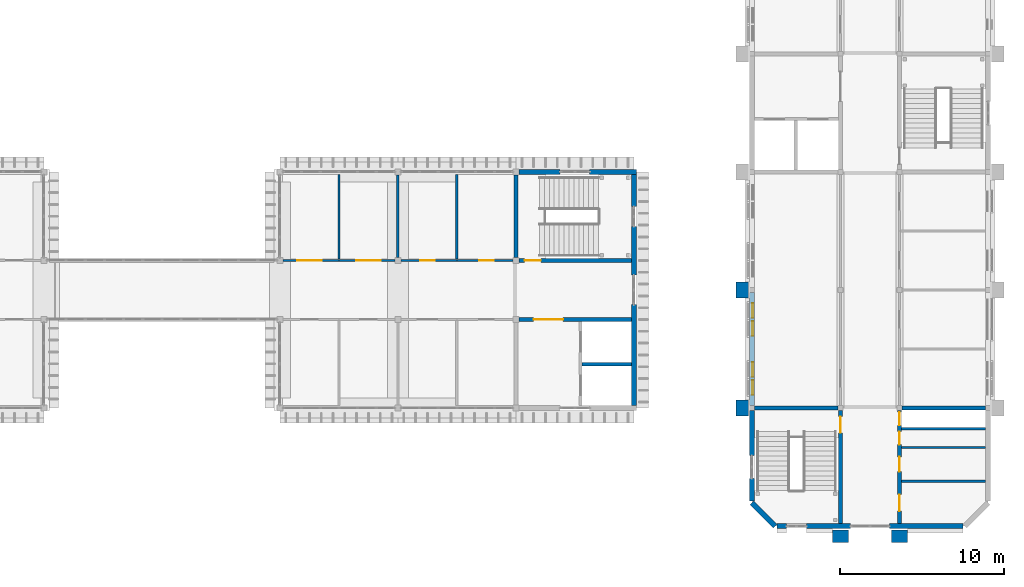
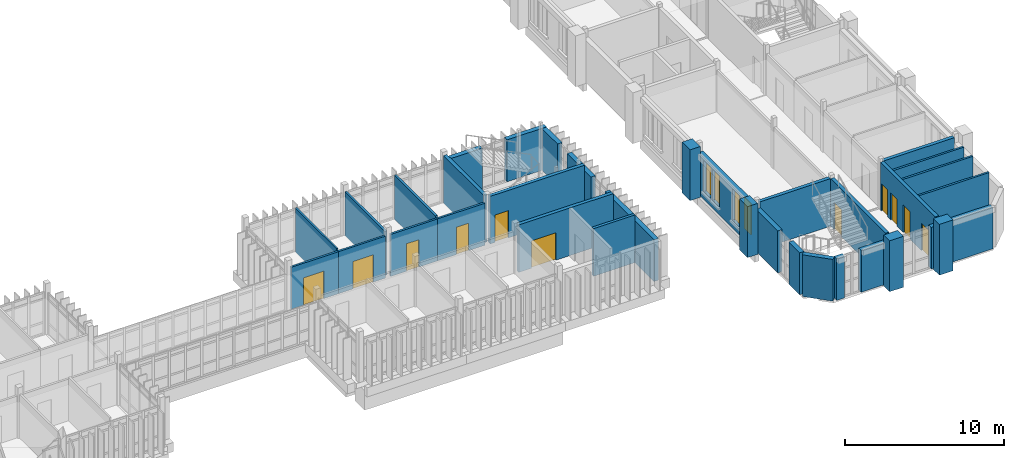
# One storey, part 45 of 69: 34 walls, 11 doors, 4 windows, 15 openings.
"""IFC4 building model written with IfcOpenShell, lengths in metres."""

from ifc_helpers import new_model, si_unit, direction, frame, frame_2d, origin, place, context, subcontext, project, spatial, rectangle, extrude, material, layer, layer_set, type_object, element, fill, save


model = new_model("IFC4")

# Units and contexts
model_context = context("Model", 3, precision=1e-05, world=origin(), true_north=direction((0.0, 1.0)))
body_context = subcontext(model_context, "Body", "Model", "MODEL_VIEW")
ifc_project = project(units=[si_unit("LENGTHUNIT", "METRE"), si_unit("AREAUNIT", "SQUARE_METRE"), si_unit("VOLUMEUNIT", "CUBIC_METRE"), si_unit("PLANEANGLEUNIT", "RADIAN"), si_unit("MASSUNIT", "GRAM", prefix="KILO")], contexts=[model_context])

# Site, building, storey
site_placement = place(None, origin())
site = spatial("IfcSite", under=ifc_project, at=site_placement, CompositionType="ELEMENT")
building_placement = place(site_placement, origin())
building = spatial("IfcBuilding", under=site, at=building_placement, Name="Mazhai Court Health Centre", CompositionType="ELEMENT")
storey_placement = place(building_placement, frame((0.0, 0.0, 6.300048828125)))
storey = spatial("IfcBuildingStorey", under=building, at=storey_placement, Name="L01", CompositionType="ELEMENT", Elevation=6.300048828125)

# Walls
ifc_material_1 = material(Name="Clay brick masonry", Category="masonry")
ifc_layer_1 = layer(ifc_material_1, 0.75)
ifc_layer_set_1 = layer_set([ifc_layer_1], Name="BRICK PIER 750")
wall_type_1 = type_object("IfcWallType", Name="BRICK PIER 750", PredefinedType="SOLIDWALL", material=ifc_layer_set_1)
for number, where, z_axis, x_axis, name in (
    (1, (135.199951171875, 12.89990234375, 0.0), (0.0, 0.0, 1.0), (0.0, 1.0, 0.0), "EP-V6-L01-A1"),
    (2, (135.199951171875, 20.10009765625, 0.0), (0.0, 0.0, 1.0), (0.0, 1.0, 0.0), "EP-V6-L01-A2"),
    (3, (141.699951171875, 5.574951171875, 0.0), (0.0, 0.0, 1.0), (-1.0, 0.0, 0.0), "EP-V6-L01-S54"),
    (4, (145.300048828125, 5.574951171875, 0.0), (0.0, 0.0, 1.0), (-1.0, 0.0, 0.0), "EP-V6-L01-S90"),
):
    element("IfcWall", number, at=place(storey_placement, frame(where, z_axis=z_axis, x_axis=x_axis)), inside=storey, type_object=wall_type_1, Name=name, PredefinedType="SOLIDWALL", context=body_context, shape_type="SweptSolid", body=[
        extrude(rectangle(XDim=1.0, YDim=0.75, at=frame_2d((0.5, 0.0))), origin(), (0.0, 0.0, 1.0), 3.89990234375),
    ])
ifc_material_2 = material(Name="Clay brick masonry", Category="masonry")
ifc_layer_2 = layer(ifc_material_2, 0.330078125)
ifc_layer_set_2 = layer_set([ifc_layer_2], Name="BRICK WALL 330 EXTERNAL")
wall_type_2 = type_object("IfcWallType", Name="BRICK WALL 330 EXTERNAL", PredefinedType="SOLIDWALL", material=ifc_layer_set_2)
wall_1_placement = place(storey_placement, frame((121.580078125, 27.800048828125, 0.0), z_axis=(0.0, 0.0, 1.0), x_axis=(1.0, 0.0, 0.0)))
element("IfcWall", 5, at=wall_1_placement, inside=storey, type_object=wall_type_2, Name="EW-V4-L01-B7a", PredefinedType="SOLIDWALL", context=body_context, shape_type="SweptSolid", body=[
    extrude(rectangle(XDim=2.52001953125, YDim=0.330078125, at=frame_2d((1.260009765625, 0.0))), origin(), (0.0, 0.0, 1.0), 3.219970703125),
])
wall_2_placement = place(storey_placement, frame((125.89990234375, 27.800048828125, 0.0), z_axis=(0.0, 0.0, 1.0), x_axis=(1.0, 0.0, 0.0)))
element("IfcWall", 6, at=wall_2_placement, inside=storey, type_object=wall_type_2, Name="EW-V4-L01-B7b", PredefinedType="SOLIDWALL", context=body_context, shape_type="SweptSolid", body=[
    extrude(rectangle(XDim=2.864990234375, YDim=0.330078125, at=frame_2d((1.4326171875, 0.0))), origin(), (0.0, 0.0, 1.0), 3.219970703125),
])
wall_3_placement = place(storey_placement, frame((128.60009765625, 19.699951171875, 0.0), z_axis=(0.0, 0.0, 1.0), x_axis=(0.0, -1.0, 0.0)))
element("IfcWall", 7, at=wall_3_placement, inside=storey, type_object=wall_type_2, Name="EW-V4-L01-Ep0", PredefinedType="SOLIDWALL", context=body_context, shape_type="SweptSolid", body=[
    extrude(rectangle(XDim=6.135009765625, YDim=0.330078125, at=frame_2d((3.0673828125, 0.0))), origin(), (0.0, 0.0, 1.0), 3.199951171875),
])
wall_4_placement = place(storey_placement, frame((128.60009765625, 24.47998046875, 0.0), z_axis=(0.0, 0.0, 1.0), x_axis=(0.0, -1.0, 0.0)))
element("IfcWall", 8, at=wall_4_placement, inside=storey, type_object=wall_type_2, Name="EW-V4-L01-Ep1", PredefinedType="SOLIDWALL", context=body_context, shape_type="SweptSolid", body=[
    extrude(rectangle(XDim=2.97998046875, YDim=0.330078125, at=frame_2d((1.489990234375, 0.0))), origin(), (0.0, 0.0, 1.0), 3.199951171875),
])
wall_5_placement = place(storey_placement, frame((128.60009765625, 27.635009765625, 0.0), z_axis=(0.0, 0.0, 1.0), x_axis=(0.0, -1.0, 0.0)))
element("IfcWall", 9, at=wall_5_placement, inside=storey, type_object=wall_type_2, Name="EW-V4-L01-Ep2", PredefinedType="SOLIDWALL", context=body_context, shape_type="SweptSolid", body=[
    extrude(rectangle(XDim=1.955078125, YDim=0.330078125, at=frame_2d((0.9775390625, 0.0))), origin(), (0.0, 0.0, 1.0), 3.199951171875),
])
wall_6_placement = place(storey_placement, frame((135.800048828125, 7.73095703125, 0.0), z_axis=(0.0, 0.0, 1.0), x_axis=(0.0, 1.0, 0.0)))
element("IfcWall", 10, at=wall_6_placement, inside=storey, type_object=wall_type_2, Name="EW-V6-L01-A0a", PredefinedType="SOLIDWALL", context=body_context, shape_type="SweptSolid", body=[
    extrude(rectangle(XDim=1.369140625, YDim=0.330078125, at=frame_2d((0.6845703125, 0.0))), origin(), (0.0, 0.0, 1.0), 3.219970703125),
])
wall_7_placement = place(storey_placement, frame((135.800048828125, 10.5, 0.0), z_axis=(0.0, 0.0, 1.0), x_axis=(0.0, 1.0, 0.0)))
element("IfcWall", 11, at=wall_7_placement, inside=storey, type_object=wall_type_2, Name="EW-V6-L01-A0b", PredefinedType="SOLIDWALL", context=body_context, shape_type="SweptSolid", body=[
    extrude(rectangle(XDim=2.760009765625, YDim=0.330078125, at=frame_2d((1.3798828125, 0.0))), origin(), (0.0, 0.0, 1.0), 3.219970703125),
])

# Wall, openings, windows
wall_8_placement = place(storey_placement, frame((135.800048828125, 13.5400390625, 0.0), z_axis=(0.0, 0.0, 1.0), x_axis=(0.0, 1.0, 0.0)))
wall_8 = element("IfcWall", 12, at=wall_8_placement, inside=storey, type_object=wall_type_2, Name="EW-V6-L01-A1p0", PredefinedType="SOLIDWALL", context=body_context, shape_type="SweptSolid", body=[
    extrude(rectangle(XDim=6.919921875, YDim=0.330078125, at=frame_2d((3.4599609375, 0.0))), origin(), (0.0, 0.0, 1.0), 3.219970703125),
])
opening_1_placement = place(wall_8_placement, frame((0.659912109375, 0.0, 0.60009765625)))
opening_1 = element("IfcOpeningElement", 13, at=opening_1_placement, cuts=wall_8, Name="Opening W14", PredefinedType="OPENING", context=body_context, shape_type="SweptSolid", body=[
    extrude(rectangle(XDim=0.89990234375, YDim=2.39990234375, at=frame_2d((0.449951171875, 1.199951171875))), frame((0.0, 0.175048828125, 0.0), z_axis=(0.0, -1.0, 0.0), x_axis=(1.0, 0.0, 0.0)), (0.0, 0.0, 1.0), 0.35009765625),
])
opening_2_placement = place(wall_8_placement, frame((1.760009765625, 0.0, 0.60009765625)))
opening_2 = element("IfcOpeningElement", 14, at=opening_2_placement, cuts=wall_8, Name="Opening W14", PredefinedType="OPENING", context=body_context, shape_type="SweptSolid", body=[
    extrude(rectangle(XDim=0.89990234375, YDim=2.39990234375, at=frame_2d((0.449951171875, 1.199951171875))), frame((0.0, 0.175048828125, 0.0), z_axis=(0.0, -1.0, 0.0), x_axis=(1.0, 0.0, 0.0)), (0.0, 0.0, 1.0), 0.35009765625),
])
opening_3_placement = place(wall_8_placement, frame((4.260009765625, 0.0, 0.60009765625)))
opening_3 = element("IfcOpeningElement", 15, at=opening_3_placement, cuts=wall_8, Name="Opening W14", PredefinedType="OPENING", context=body_context, shape_type="SweptSolid", body=[
    extrude(rectangle(XDim=0.89990234375, YDim=2.39990234375, at=frame_2d((0.449951171875, 1.199951171875))), frame((0.0, 0.175048828125, 0.0), z_axis=(0.0, -1.0, 0.0), x_axis=(1.0, 0.0, 0.0)), (0.0, 0.0, 1.0), 0.35009765625),
])
opening_4_placement = place(wall_8_placement, frame((5.360107421875, 0.0, 0.60009765625)))
opening_4 = element("IfcOpeningElement", 16, at=opening_4_placement, cuts=wall_8, Name="Opening W14", PredefinedType="OPENING", context=body_context, shape_type="SweptSolid", body=[
    extrude(rectangle(XDim=0.89990234375, YDim=2.39990234375, at=frame_2d((0.449951171875, 1.199951171875))), frame((0.0, 0.175048828125, 0.0), z_axis=(0.0, -1.0, 0.0), x_axis=(1.0, 0.0, 0.0)), (0.0, 0.0, 1.0), 0.35009765625),
])
ifc_material_3 = material(Name="Teak timber frame, glazed", Category="wood")
window_type = type_object("IfcWindowType", Name="WINDOW TALL PAIRED 900x2400", PartitioningType="SINGLE_PANEL", PredefinedType="WINDOW", material=ifc_material_3)
window_1_placement = place(opening_1_placement, origin())
window_1 = element("IfcWindow", 17, at=window_1_placement, inside=storey, type_object=window_type, Name="W14 WN-V6-L01-A10a", OverallHeight=2.39990234375, OverallWidth=0.89990234375, PartitioningType="SINGLE_PANEL", PredefinedType="WINDOW", context=body_context, shape_type="SweptSolid", body=[
    extrude(rectangle(XDim=0.89990234375, YDim=2.39990234375, at=frame_2d((0.449951171875, 1.199951171875))), frame((0.0, -0.030029296875, 0.0), z_axis=(0.0, -1.0, 0.0), x_axis=(1.0, 0.0, 0.0)), (0.0, 0.0, 1.0), 0.06005859375),
])
fill(opening_1, window_1)
window_2_placement = place(opening_2_placement, origin())
window_2 = element("IfcWindow", 18, at=window_2_placement, inside=storey, type_object=window_type, Name="W14 WN-V6-L01-A10b", OverallHeight=2.39990234375, OverallWidth=0.89990234375, PartitioningType="SINGLE_PANEL", PredefinedType="WINDOW", context=body_context, shape_type="SweptSolid", body=[
    extrude(rectangle(XDim=0.89990234375, YDim=2.39990234375, at=frame_2d((0.449951171875, 1.199951171875))), frame((0.0, -0.030029296875, 0.0), z_axis=(0.0, -1.0, 0.0), x_axis=(1.0, 0.0, 0.0)), (0.0, 0.0, 1.0), 0.06005859375),
])
fill(opening_2, window_2)
window_3_placement = place(opening_3_placement, origin())
window_3 = element("IfcWindow", 19, at=window_3_placement, inside=storey, type_object=window_type, Name="W14 WN-V6-L01-A11a", OverallHeight=2.39990234375, OverallWidth=0.89990234375, PartitioningType="SINGLE_PANEL", PredefinedType="WINDOW", context=body_context, shape_type="SweptSolid", body=[
    extrude(rectangle(XDim=0.89990234375, YDim=2.39990234375, at=frame_2d((0.449951171875, 1.199951171875))), frame((0.0, -0.030029296875, 0.0), z_axis=(0.0, -1.0, 0.0), x_axis=(1.0, 0.0, 0.0)), (0.0, 0.0, 1.0), 0.06005859375),
])
fill(opening_3, window_3)
window_4_placement = place(opening_4_placement, origin())
window_4 = element("IfcWindow", 20, at=window_4_placement, inside=storey, type_object=window_type, Name="W14 WN-V6-L01-A11b", OverallHeight=2.39990234375, OverallWidth=0.89990234375, PartitioningType="SINGLE_PANEL", PredefinedType="WINDOW", context=body_context, shape_type="SweptSolid", body=[
    extrude(rectangle(XDim=0.89990234375, YDim=2.39990234375, at=frame_2d((0.449951171875, 1.199951171875))), frame((0.0, -0.030029296875, 0.0), z_axis=(0.0, -1.0, 0.0), x_axis=(1.0, 0.0, 0.0)), (0.0, 0.0, 1.0), 0.06005859375),
])
fill(opening_4, window_4)

# Walls
wall_9_placement = place(storey_placement, frame((137.919921875, 6.199951171875, 0.0), z_axis=(0.0, 0.0, 1.0), x_axis=(-1.0, 0.0, 0.0)))
element("IfcWall", 21, at=wall_9_placement, inside=storey, type_object=wall_type_2, Name="EW-V6-L01-Sp0", PredefinedType="SOLIDWALL", context=body_context, shape_type="SweptSolid", body=[
    extrude(rectangle(XDim=0.5888671875, YDim=0.330078125, at=frame_2d((0.29443359375, 0.0))), origin(), (0.0, 0.0, 1.0), 3.199951171875),
])
wall_10_placement = place(storey_placement, frame((141.800048828125, 6.199951171875, 0.0), z_axis=(0.0, 0.0, 1.0), x_axis=(-1.0, 0.0, 0.0)))
element("IfcWall", 22, at=wall_10_placement, inside=storey, type_object=wall_type_2, Name="EW-V6-L01-Sp1", PredefinedType="SOLIDWALL", context=body_context, shape_type="SweptSolid", body=[
    extrude(rectangle(XDim=2.679931640625, YDim=0.330078125, at=frame_2d((1.33984375, 0.0))), origin(), (0.0, 0.0, 1.0), 3.199951171875),
])
wall_11_placement = place(storey_placement, frame((148.6689453125, 6.199951171875, 0.0), z_axis=(0.0, 0.0, 1.0), x_axis=(-1.0, 0.0, 0.0)))
element("IfcWall", 23, at=wall_11_placement, inside=storey, type_object=wall_type_2, Name="EW-V6-L01-Sp2", PredefinedType="SOLIDWALL", context=body_context, shape_type="SweptSolid", body=[
    extrude(rectangle(XDim=4.468994140625, YDim=0.330078125, at=frame_2d((2.234375, 0.0))), origin(), (0.0, 0.0, 1.0), 3.199951171875),
])
wall_12_placement = place(storey_placement, frame((135.800048828125, 7.614013671875, 0.0), z_axis=(0.0, 0.0, 1.0), x_axis=(0.707106781187, -0.707106781187, 0.0)))
element("IfcWall", 24, at=wall_12_placement, inside=storey, type_object=wall_type_2, Name="EW-V6-L01-CHA", PredefinedType="SOLIDWALL", context=body_context, shape_type="SweptSolid", body=[
    extrude(rectangle(XDim=1.999755859375, YDim=0.330078125, at=frame_2d((1.0, 0.0))), origin(), (0.0, 0.0, 1.0), 3.199951171875),
])
ifc_material_4 = material(Name="Gypsum plasterboard partition")
ifc_layer_3 = layer(ifc_material_4, 0.125)
ifc_layer_set_3 = layer_set([ifc_layer_3], Name="PARTITION 125 STUD EI30")
wall_type_3 = type_object("IfcWallType", Name="PARTITION 125 STUD EI30", PredefinedType="PARTITIONING", material=ifc_layer_set_3)
wall_13_placement = place(storey_placement, frame((110.60009765625, 27.635009765625, 0.0), z_axis=(0.0, 0.0, 1.0), x_axis=(0.0, -1.0, 0.0)))
element("IfcWall", 25, at=wall_13_placement, inside=storey, type_object=wall_type_3, Name="wall-V4-L01-B1-cross-1a", PredefinedType="PARTITIONING", context=body_context, shape_type="SweptSolid", body=[
    extrude(rectangle(XDim=5.159912109375, YDim=0.125, at=frame_2d((2.580078125, 0.0))), origin(), (0.0, 0.0, 1.0), 3.3798828125),
])

# Wall, opening, door
ifc_material_5 = material(Name="Gypsum plasterboard partition")
ifc_layer_4 = layer(ifc_material_5, 0.14990234375)
ifc_layer_set_4 = layer_set([ifc_layer_4], Name="PARTITION 150 CORRIDOR EI60")
wall_type_4 = type_object("IfcWallType", Name="PARTITION 150 CORRIDOR EI60", PredefinedType="PARTITIONING", material=ifc_layer_set_4)
wall_14_placement = place(storey_placement, frame((107.179931640625, 22.39990234375, 0.0), z_axis=(0.0, 0.0, 1.0), x_axis=(1.0, 0.0, 0.0)))
wall_14 = element("IfcWall", 26, at=wall_14_placement, inside=storey, type_object=wall_type_4, Name="wall-V4-L01-B1-corr-0a", PredefinedType="PARTITIONING", context=body_context, shape_type="SweptSolid", body=[
    extrude(rectangle(XDim=3.420166015625, YDim=0.14990234375, at=frame_2d((1.7099609375, 0.0))), origin(), (0.0, 0.0, 1.0), 3.219970703125),
])
opening_5_placement = place(wall_14_placement, frame((0.8701171875, 0.0, 0.0)))
opening_5 = element("IfcOpeningElement", 27, at=opening_5_placement, cuts=wall_14, Name="Opening D-L01-059", PredefinedType="OPENING", context=body_context, shape_type="SweptSolid", body=[
    extrude(rectangle(XDim=1.5, YDim=2.10009765625, at=frame_2d((0.75, 1.050048828125))), frame((0.0, 0.0849609375, 0.0), z_axis=(0.0, -1.0, 0.0), x_axis=(1.0, 0.0, 0.0)), (0.0, 0.0, 1.0), 0.169921875),
])
ifc_material_6 = material(Name="Hardwood door leaf", Category="wood")
door_type_1 = type_object("IfcDoorType", Name="DOOR 1500x2100 FD30S DOUBLE", OperationType="NOTDEFINED", PredefinedType="DOOR", material=ifc_material_6)
door_1_placement = place(opening_5_placement, origin())
door_1 = element("IfcDoor", 28, at=door_1_placement, inside=storey, type_object=door_type_1, Name="door-V4-L01-B1-waiting-alcove-1", OperationType="DOUBLE_DOOR_SINGLE_SWING", OverallHeight=2.10009765625, OverallWidth=1.5, PredefinedType="DOOR", context=body_context, shape_type="SweptSolid", body=[
    extrude(rectangle(XDim=1.5, YDim=2.10009765625, at=frame_2d((0.75, 1.050048828125))), frame((0.0, 0.02490234375, 0.0), z_axis=(0.0, -1.0, 0.0), x_axis=(1.0, 0.0, 0.0)), (0.0, 0.0, 1.0), 0.050048828125),
])
fill(opening_5, door_1)

wall_15_placement = place(storey_placement, frame((110.60009765625, 22.39990234375, 0.0), z_axis=(0.0, 0.0, 1.0), x_axis=(1.0, 0.0, 0.0)))
wall_15 = element("IfcWall", 29, at=wall_15_placement, inside=storey, type_object=wall_type_4, Name="wall-V4-L01-B1-corr-1a", PredefinedType="PARTITIONING", context=body_context, shape_type="SweptSolid", body=[
    extrude(rectangle(XDim=3.419921875, YDim=0.14990234375, at=frame_2d((1.7099609375, 0.0))), origin(), (0.0, 0.0, 1.0), 3.219970703125),
])
opening_6_placement = place(wall_15_placement, frame((1.050048828125, 0.0, 0.0)))
opening_6 = element("IfcOpeningElement", 30, at=opening_6_placement, cuts=wall_15, Name="Opening D-L01-061", PredefinedType="OPENING", context=body_context, shape_type="SweptSolid", body=[
    extrude(rectangle(XDim=1.5, YDim=2.10009765625, at=frame_2d((0.75, 1.050048828125))), frame((0.0, 0.0849609375, 0.0), z_axis=(0.0, -1.0, 0.0), x_axis=(1.0, 0.0, 0.0)), (0.0, 0.0, 1.0), 0.169921875),
])
door_2_placement = place(opening_6_placement, origin())
door_2 = element("IfcDoor", 31, at=door_2_placement, inside=storey, type_object=door_type_1, Name="door-V4-L01-B1-waiting-alcove-2", OperationType="DOUBLE_DOOR_SINGLE_SWING", OverallHeight=2.10009765625, OverallWidth=1.5, PredefinedType="DOOR", context=body_context, shape_type="SweptSolid", body=[
    extrude(rectangle(XDim=1.5, YDim=2.10009765625, at=frame_2d((0.75, 1.050048828125))), frame((0.0, 0.02490234375, 0.0), z_axis=(0.0, -1.0, 0.0), x_axis=(1.0, 0.0, 0.0)), (0.0, 0.0, 1.0), 0.050048828125),
])
fill(opening_6, door_2)

wall_16_placement = place(storey_placement, frame((117.800048828125, 22.39990234375, 0.0), z_axis=(0.0, 0.0, 1.0), x_axis=(-1.0, 0.0, 0.0)))
wall_16 = element("IfcWall", 32, at=wall_16_placement, inside=storey, type_object=wall_type_4, Name="wall-V4-L01-B1-corr-2a", PredefinedType="PARTITIONING", context=body_context, shape_type="SweptSolid", body=[
    extrude(rectangle(XDim=3.420166015625, YDim=0.14990234375, at=frame_2d((1.7099609375, 0.0))), origin(), (0.0, 0.0, 1.0), 3.219970703125),
])
opening_7_placement = place(wall_16_placement, frame((1.35009765625, 0.0, 0.0)))
opening_7 = element("IfcOpeningElement", 33, at=opening_7_placement, cuts=wall_16, Name="Opening D-L01-063", PredefinedType="OPENING", context=body_context, shape_type="SweptSolid", body=[
    extrude(rectangle(XDim=0.89990234375, YDim=2.10009765625, at=frame_2d((0.449951171875, 1.050048828125))), frame((0.0, 0.0849609375, 0.0), z_axis=(0.0, -1.0, 0.0), x_axis=(1.0, 0.0, 0.0)), (0.0, 0.0, 1.0), 0.169921875),
])
ifc_material_7 = material(Name="Hardwood door leaf", Category="wood")
door_type_2 = type_object("IfcDoorType", Name="DOOR 900x2100 FD30S SINGLE", OperationType="NOTDEFINED", PredefinedType="DOOR", material=ifc_material_7)
door_3_placement = place(opening_7_placement, origin())
door_3 = element("IfcDoor", 34, at=door_3_placement, inside=storey, type_object=door_type_2, Name="door-V4-L01-B1-wc-male", OperationType="SINGLE_SWING_RIGHT", OverallHeight=2.10009765625, OverallWidth=0.89990234375, PredefinedType="DOOR", context=body_context, shape_type="SweptSolid", body=[
    extrude(rectangle(XDim=0.89990234375, YDim=2.10009765625, at=frame_2d((0.449951171875, 1.050048828125))), frame((0.0, 0.02490234375, 0.0), z_axis=(0.0, -1.0, 0.0), x_axis=(1.0, 0.0, 0.0)), (0.0, 0.0, 1.0), 0.050048828125),
])
fill(opening_7, door_3)

wall_17_placement = place(storey_placement, frame((121.219970703125, 22.39990234375, 0.0), z_axis=(0.0, 0.0, 1.0), x_axis=(-1.0, 0.0, 0.0)))
wall_17 = element("IfcWall", 35, at=wall_17_placement, inside=storey, type_object=wall_type_4, Name="wall-V4-L01-B1-corr-3a", PredefinedType="PARTITIONING", context=body_context, shape_type="SweptSolid", body=[
    extrude(rectangle(XDim=3.419921875, YDim=0.14990234375, at=frame_2d((1.7099609375, 0.0))), origin(), (0.0, 0.0, 1.0), 3.219970703125),
])
opening_8_placement = place(wall_17_placement, frame((1.169921875, 0.0, 0.0)))
opening_8 = element("IfcOpeningElement", 36, at=opening_8_placement, cuts=wall_17, Name="Opening D-L01-065", PredefinedType="OPENING", context=body_context, shape_type="SweptSolid", body=[
    extrude(rectangle(XDim=0.89990234375, YDim=2.10009765625, at=frame_2d((0.449951171875, 1.050048828125))), frame((0.0, 0.0849609375, 0.0), z_axis=(0.0, -1.0, 0.0), x_axis=(1.0, 0.0, 0.0)), (0.0, 0.0, 1.0), 0.169921875),
])
door_4_placement = place(opening_8_placement, origin())
door_4 = element("IfcDoor", 37, at=door_4_placement, inside=storey, type_object=door_type_2, Name="door-V4-L01-B1-wc-female", OperationType="SINGLE_SWING_LEFT", OverallHeight=2.10009765625, OverallWidth=0.89990234375, PredefinedType="DOOR", context=body_context, shape_type="SweptSolid", body=[
    extrude(rectangle(XDim=0.89990234375, YDim=2.10009765625, at=frame_2d((0.449951171875, 1.050048828125))), frame((0.0, 0.02490234375, 0.0), z_axis=(0.0, -1.0, 0.0), x_axis=(1.0, 0.0, 0.0)), (0.0, 0.0, 1.0), 0.050048828125),
])
fill(opening_8, door_4)

# Walls
ifc_material_8 = material(Name="Gypsum plasterboard partition")
ifc_layer_5 = layer(ifc_material_8, 0.14990234375)
ifc_layer_set_5 = layer_set([ifc_layer_5], Name="PARTITION 150 WET AREA EI30")
wall_type_5 = type_object("IfcWallType", Name="PARTITION 150 WET AREA EI30", PredefinedType="PARTITIONING", material=ifc_layer_set_5)
wall_18_placement = place(storey_placement, frame((114.199951171875, 27.6201171875, 0.0), z_axis=(0.0, 0.0, 1.0), x_axis=(0.0, -1.0, 0.0)))
element("IfcWall", 38, at=wall_18_placement, inside=storey, type_object=wall_type_5, Name="wall-V4-L01-B1-cross-2a", PredefinedType="PARTITIONING", context=body_context, shape_type="SweptSolid", body=[
    extrude(rectangle(XDim=5.0400390625, YDim=0.14990234375, at=frame_2d((2.52001953125, 0.0))), origin(), (0.0, 0.0, 1.0), 3.3798828125),
])
wall_19_placement = place(storey_placement, frame((117.800048828125, 27.635009765625, 0.0), z_axis=(0.0, 0.0, 1.0), x_axis=(0.0, -1.0, 0.0)))
element("IfcWall", 39, at=wall_19_placement, inside=storey, type_object=wall_type_5, Name="wall-V4-L01-B1-cross-3a", PredefinedType="PARTITIONING", context=body_context, shape_type="SweptSolid", body=[
    extrude(rectangle(XDim=5.159912109375, YDim=0.14990234375, at=frame_2d((2.580078125, 0.0))), origin(), (0.0, 0.0, 1.0), 3.3798828125),
])

# Wall, opening, door
ifc_material_9 = material(Name="Concrete M40", Category="concrete")
ifc_layer_6 = layer(ifc_material_9, 0.25)
ifc_layer_set_6 = layer_set([ifc_layer_6], Name="RC CORE WALL 250 M40")
wall_type_6 = type_object("IfcWallType", Name="RC CORE WALL 250 M40", PredefinedType="SHEAR", material=ifc_layer_set_6)
wall_20_placement = place(storey_placement, frame((121.580078125, 22.39990234375, 0.0), z_axis=(0.0, 0.0, 1.0), x_axis=(1.0, 0.0, 0.0)))
wall_20 = element("IfcWall", 40, at=wall_20_placement, inside=storey, type_object=wall_type_6, Name="core-C7-w-stair-corr-L01", PredefinedType="SHEAR", context=body_context, shape_type="SweptSolid", body=[
    extrude(rectangle(XDim=6.85498046875, YDim=0.25, at=frame_2d((3.427490234375, 0.0))), origin(), (0.0, 0.0, 1.0), 3.64990234375),
])
opening_9_placement = place(wall_20_placement, frame((0.344970703125, 0.0, 0.0)))
opening_9 = element("IfcOpeningElement", 41, at=opening_9_placement, cuts=wall_20, Name="Opening D-L01-066", PredefinedType="OPENING", context=body_context, shape_type="SweptSolid", body=[
    extrude(rectangle(XDim=1.0, YDim=2.10009765625, at=frame_2d((0.5, 1.050048828125))), frame((0.0, 0.135009765625, 0.0), z_axis=(0.0, -1.0, 0.0), x_axis=(1.0, 0.0, 0.0)), (0.0, 0.0, 1.0), 0.27001953125),
])
ifc_material_10 = material(Name="Steel fire door leaf", Category="steel")
door_type_3 = type_object("IfcDoorType", Name="FD120S STAIR DOOR 1000x2100", OperationType="SINGLE_SWING_LEFT", PredefinedType="DOOR", material=ifc_material_10)
door_5_placement = place(opening_9_placement, origin())
door_5 = element("IfcDoor", 42, at=door_5_placement, inside=storey, type_object=door_type_3, Name="Stair 7 door L01", OperationType="SINGLE_SWING_RIGHT", OverallHeight=2.10009765625, OverallWidth=1.0, PredefinedType="DOOR", context=body_context, shape_type="SweptSolid", body=[
    extrude(rectangle(XDim=1.0, YDim=2.10009765625, at=frame_2d((0.5, 1.050048828125))), frame((0.0, 0.02490234375, 0.0), z_axis=(0.0, -1.0, 0.0), x_axis=(1.0, 0.0, 0.0)), (0.0, 0.0, 1.0), 0.050048828125),
])
fill(opening_9, door_5)

# Wall
wall_21_placement = place(storey_placement, frame((121.39990234375, 22.580078125, 0.0), z_axis=(0.0, 0.0, 1.0), x_axis=(0.0, 1.0, 0.0)))
element("IfcWall", 43, at=wall_21_placement, inside=storey, type_object=wall_type_6, Name="core-C7-w-stair-line0-L01", PredefinedType="SHEAR", context=body_context, shape_type="SweptSolid", body=[
    extrude(rectangle(XDim=5.0400390625, YDim=0.25, at=frame_2d((2.52001953125, 0.0))), origin(), (0.0, 0.0, 1.0), 3.64990234375),
])

# Wall, opening, door
wall_22_placement = place(storey_placement, frame((121.580078125, 18.800048828125, 0.0), z_axis=(0.0, 0.0, 1.0), x_axis=(1.0, 0.0, 0.0)))
wall_22 = element("IfcWall", 44, at=wall_22_placement, inside=storey, type_object=wall_type_6, Name="core-C7-w-other-corr-L01", PredefinedType="SHEAR", context=body_context, shape_type="SweptSolid", body=[
    extrude(rectangle(XDim=6.85498046875, YDim=0.25, at=frame_2d((3.427490234375, 0.0))), origin(), (0.0, 0.0, 1.0), 3.64990234375),
])
opening_10_placement = place(wall_22_placement, frame((0.89990234375, 0.0, 0.0)))
opening_10 = element("IfcOpeningElement", 45, at=opening_10_placement, cuts=wall_22, Name="Opening D-L01-067", PredefinedType="OPENING", context=body_context, shape_type="SweptSolid", body=[
    extrude(rectangle(XDim=1.800048828125, YDim=2.10009765625, at=frame_2d((0.89990234375, 1.050048828125))), frame((0.0, 0.135009765625, 0.0), z_axis=(0.0, -1.0, 0.0), x_axis=(1.0, 0.0, 0.0)), (0.0, 0.0, 1.0), 0.27001953125),
])
ifc_material_11 = material(Name="Steel fire door leaf", Category="steel")
door_type_4 = type_object("IfcDoorType", Name="FD60S LIFT LOBBY DOOR 1800x2100", OperationType="DOUBLE_DOOR_SINGLE_SWING", PredefinedType="DOOR", material=ifc_material_11)
door_6_placement = place(opening_10_placement, origin())
door_6 = element("IfcDoor", 46, at=door_6_placement, inside=storey, type_object=door_type_4, Name="Lift lobby door L01", OperationType="DOUBLE_DOOR_SINGLE_SWING", OverallHeight=2.10009765625, OverallWidth=1.800048828125, PredefinedType="DOOR", context=body_context, shape_type="SweptSolid", body=[
    extrude(rectangle(XDim=1.800048828125, YDim=2.10009765625, at=frame_2d((0.89990234375, 1.050048828125))), frame((0.0, 0.02490234375, 0.0), z_axis=(0.0, -1.0, 0.0), x_axis=(1.0, 0.0, 0.0)), (0.0, 0.0, 1.0), 0.050048828125),
])
fill(opening_10, door_6)

wall_23_placement = place(storey_placement, frame((141.199951171875, 6.364990234375, 0.0), z_axis=(0.0, 0.0, 1.0), x_axis=(0.0, 1.0, 0.0)))
wall_23 = element("IfcWall", 47, at=wall_23_placement, inside=storey, type_object=wall_type_6, Name="core-C8-w-stair-corr-L01", PredefinedType="SHEAR", context=body_context, shape_type="SweptSolid", body=[
    extrude(rectangle(XDim=6.89501953125, YDim=0.25, at=frame_2d((3.447509765625, 0.0))), origin(), (0.0, 0.0, 1.0), 3.64990234375),
])
opening_11_placement = place(wall_23_placement, frame((5.510009765625, 0.0, 0.0)))
opening_11 = element("IfcOpeningElement", 48, at=opening_11_placement, cuts=wall_23, Name="Opening D-L01-069", PredefinedType="OPENING", context=body_context, shape_type="SweptSolid", body=[
    extrude(rectangle(XDim=1.0, YDim=2.10009765625, at=frame_2d((0.5, 1.050048828125))), frame((0.0, 0.135009765625, 0.0), z_axis=(0.0, -1.0, 0.0), x_axis=(1.0, 0.0, 0.0)), (0.0, 0.0, 1.0), 0.27001953125),
])
door_7_placement = place(opening_11_placement, origin())
door_7 = element("IfcDoor", 49, at=door_7_placement, inside=storey, type_object=door_type_3, Name="Stair 8 door L01", OperationType="SINGLE_SWING_RIGHT", OverallHeight=2.10009765625, OverallWidth=1.0, PredefinedType="DOOR", context=body_context, shape_type="SweptSolid", body=[
    extrude(rectangle(XDim=1.0, YDim=2.10009765625, at=frame_2d((0.5, 1.050048828125))), frame((0.0, 0.02490234375, 0.0), z_axis=(0.0, -1.0, 0.0), x_axis=(1.0, 0.0, 0.0)), (0.0, 0.0, 1.0), 0.050048828125),
])
fill(opening_11, door_7)

# Wall
wall_24_placement = place(storey_placement, frame((135.93994140625, 13.39990234375, 0.0), z_axis=(0.0, 0.0, 1.0), x_axis=(1.0, 0.0, 0.0)))
element("IfcWall", 50, at=wall_24_placement, inside=storey, type_object=wall_type_6, Name="core-C8-w-stair-line0-L01", PredefinedType="SHEAR", context=body_context, shape_type="SweptSolid", body=[
    extrude(rectangle(XDim=5.1201171875, YDim=0.25, at=frame_2d((2.56005859375, 0.0))), origin(), (0.0, 0.0, 1.0), 3.64990234375),
])

# Wall, openings, doors
wall_25_placement = place(storey_placement, frame((144.800048828125, 6.364990234375, 0.0), z_axis=(0.0, 0.0, 1.0), x_axis=(0.0, 1.0, 0.0)))
wall_25 = element("IfcWall", 51, at=wall_25_placement, inside=storey, type_object=wall_type_6, Name="core-C8-w-other-corr-L01", PredefinedType="SHEAR", context=body_context, shape_type="SweptSolid", body=[
    extrude(rectangle(XDim=6.89501953125, YDim=0.25, at=frame_2d((3.447509765625, 0.0))), origin(), (0.0, 0.0, 1.0), 3.64990234375),
])
opening_12_placement = place(wall_25_placement, frame((0.75, 0.0, 0.0)))
opening_12 = element("IfcOpeningElement", 52, at=opening_12_placement, cuts=wall_25, Name="Opening D-L01-077", PredefinedType="OPENING", context=body_context, shape_type="SweptSolid", body=[
    extrude(rectangle(XDim=1.0, YDim=2.10009765625, at=frame_2d((0.5, 1.050048828125))), frame((0.0, 0.135009765625, 0.0), z_axis=(0.0, -1.0, 0.0), x_axis=(1.0, 0.0, 0.0)), (0.0, 0.0, 1.0), 0.27001953125),
])
opening_13_placement = place(wall_25_placement, frame((3.14990234375, 0.0, 0.0)))
opening_13 = element("IfcOpeningElement", 53, at=opening_13_placement, cuts=wall_25, Name="Opening D-L01-078", PredefinedType="OPENING", context=body_context, shape_type="SweptSolid", body=[
    extrude(rectangle(XDim=0.89990234375, YDim=2.10009765625, at=frame_2d((0.449951171875, 1.050048828125))), frame((0.0, 0.135009765625, 0.0), z_axis=(0.0, -1.0, 0.0), x_axis=(1.0, 0.0, 0.0)), (0.0, 0.0, 1.0), 0.27001953125),
])
opening_14_placement = place(wall_25_placement, frame((4.800048828125, 0.0, 0.0)))
opening_14 = element("IfcOpeningElement", 54, at=opening_14_placement, cuts=wall_25, Name="Opening D-L01-079", PredefinedType="OPENING", context=body_context, shape_type="SweptSolid", body=[
    extrude(rectangle(XDim=0.800048828125, YDim=2.10009765625, at=frame_2d((0.39990234375, 1.050048828125))), frame((0.0, 0.135009765625, 0.0), z_axis=(0.0, -1.0, 0.0), x_axis=(1.0, 0.0, 0.0)), (0.0, 0.0, 1.0), 0.27001953125),
])
opening_15_placement = place(wall_25_placement, frame((5.97998046875, 0.0, 0.0)))
opening_15 = element("IfcOpeningElement", 55, at=opening_15_placement, cuts=wall_25, Name="Opening D-L01-080", PredefinedType="OPENING", context=body_context, shape_type="SweptSolid", body=[
    extrude(rectangle(XDim=0.800048828125, YDim=2.10009765625, at=frame_2d((0.39990234375, 1.050048828125))), frame((0.0, 0.135009765625, 0.0), z_axis=(0.0, -1.0, 0.0), x_axis=(1.0, 0.0, 0.0)), (0.0, 0.0, 1.0), 0.27001953125),
])
ifc_material_12 = material(Name="Timber door leaf", Category="wood")
door_type_5 = type_object("IfcDoorType", Name="ACCESSIBLE WC DOOR 1000x2100", OperationType="SINGLE_SWING_RIGHT", PredefinedType="DOOR", material=ifc_material_12)
door_8_placement = place(opening_12_placement, origin())
door_8 = element("IfcDoor", 56, at=door_8_placement, inside=storey, type_object=door_type_5, Name="Accessible WC door L01", OperationType="SINGLE_SWING_LEFT", OverallHeight=2.10009765625, OverallWidth=1.0, PredefinedType="DOOR", context=body_context, shape_type="SweptSolid", body=[
    extrude(rectangle(XDim=1.0, YDim=2.10009765625, at=frame_2d((0.5, 1.050048828125))), frame((0.0, 0.02490234375, 0.0), z_axis=(0.0, -1.0, 0.0), x_axis=(1.0, 0.0, 0.0)), (0.0, 0.0, 1.0), 0.050048828125),
])
fill(opening_12, door_8)
ifc_material_13 = material(Name="Timber door leaf", Category="wood")
door_type_6 = type_object("IfcDoorType", Name="CLEANER STORE DOOR 800x2100", OperationType="SINGLE_SWING_LEFT", PredefinedType="DOOR", material=ifc_material_13)
door_9_placement = place(opening_14_placement, origin())
door_9 = element("IfcDoor", 57, at=door_9_placement, inside=storey, type_object=door_type_6, Name="Cleaner door L01", OperationType="SINGLE_SWING_LEFT", OverallHeight=2.10009765625, OverallWidth=0.800048828125, PredefinedType="DOOR", context=body_context, shape_type="SweptSolid", body=[
    extrude(rectangle(XDim=0.800048828125, YDim=2.10009765625, at=frame_2d((0.39990234375, 1.050048828125))), frame((0.0, 0.02490234375, 0.0), z_axis=(0.0, -1.0, 0.0), x_axis=(1.0, 0.0, 0.0)), (0.0, 0.0, 1.0), 0.050048828125),
])
fill(opening_14, door_9)
ifc_material_14 = material(Name="Steel fire door leaf", Category="steel")
door_type_7 = type_object("IfcDoorType", Name="FD60S RISER DOOR 800x2100", OperationType="SINGLE_SWING_LEFT", PredefinedType="DOOR", material=ifc_material_14)
door_10_placement = place(opening_15_placement, origin())
door_10 = element("IfcDoor", 58, at=door_10_placement, inside=storey, type_object=door_type_7, Name="Riser door L01", OperationType="SINGLE_SWING_LEFT", OverallHeight=2.10009765625, OverallWidth=0.800048828125, PredefinedType="DOOR", context=body_context, shape_type="SweptSolid", body=[
    extrude(rectangle(XDim=0.800048828125, YDim=2.10009765625, at=frame_2d((0.39990234375, 1.050048828125))), frame((0.0, 0.02490234375, 0.0), z_axis=(0.0, -1.0, 0.0), x_axis=(1.0, 0.0, 0.0)), (0.0, 0.0, 1.0), 0.050048828125),
])
fill(opening_15, door_10)
ifc_material_15 = material(Name="Timber door leaf", Category="wood")
door_type_8 = type_object("IfcDoorType", Name="WC DOOR 900x2100", OperationType="SINGLE_SWING_LEFT", PredefinedType="DOOR", material=ifc_material_15)
door_11_placement = place(opening_13_placement, origin())
door_11 = element("IfcDoor", 59, at=door_11_placement, inside=storey, type_object=door_type_8, Name="WC door L01", OperationType="SINGLE_SWING_LEFT", OverallHeight=2.10009765625, OverallWidth=0.89990234375, PredefinedType="DOOR", context=body_context, shape_type="SweptSolid", body=[
    extrude(rectangle(XDim=0.89990234375, YDim=2.10009765625, at=frame_2d((0.449951171875, 1.050048828125))), frame((0.0, 0.02490234375, 0.0), z_axis=(0.0, -1.0, 0.0), x_axis=(1.0, 0.0, 0.0)), (0.0, 0.0, 1.0), 0.050048828125),
])
fill(opening_13, door_11)

# Walls
wall_26_placement = place(storey_placement, frame((144.93994140625, 13.39990234375, 0.0), z_axis=(0.0, 0.0, 1.0), x_axis=(1.0, 0.0, 0.0)))
element("IfcWall", 60, at=wall_26_placement, inside=storey, type_object=wall_type_6, Name="core-C8-w-other-line0-L01", PredefinedType="SHEAR", context=body_context, shape_type="SweptSolid", body=[
    extrude(rectangle(XDim=5.1201171875, YDim=0.25, at=frame_2d((2.56005859375, 0.0))), origin(), (0.0, 0.0, 1.0), 3.64990234375),
])
ifc_material_16 = material(Name="Concrete M25", Category="concrete")
ifc_layer_7 = layer(ifc_material_16, 0.14990234375)
ifc_layer_set_7 = layer_set([ifc_layer_7], Name="RC SERVICE ROOM WALL 150 M25")
wall_type_7 = type_object("IfcWallType", Name="RC SERVICE ROOM WALL 150 M25", PredefinedType="PARTITIONING", material=ifc_layer_set_7)
for number, where, z_axis, x_axis, name in (
    (61, (144.925048828125, 8.93994140625, 0.0), (0.0, 0.0, 1.0), (1.0, 0.0, 0.0), "core-C8-w-room0-L01"),
    (62, (144.925048828125, 10.989990234375, 0.0), (0.0, 0.0, 1.0), (1.0, 0.0, 0.0), "core-C8-w-room1-L01"),
    (63, (144.925048828125, 12.139892578125, 0.0), (0.0, 0.0, 1.0), (1.0, 0.0, 0.0), "core-C8-w-room2-L01"),
):
    element("IfcWall", number, at=place(storey_placement, frame(where, z_axis=z_axis, x_axis=x_axis)), inside=storey, type_object=wall_type_7, Name=name, PredefinedType="PARTITIONING", context=body_context, shape_type="SweptSolid", body=[
        extrude(rectangle(XDim=5.10986328125, YDim=0.14990234375, at=frame_2d((2.554931640625, 0.0))), origin(), (0.0, 0.0, 1.0), 3.64990234375),
    ])
ifc_material_17 = material(Name="Concrete M40", Category="concrete")
ifc_layer_8 = layer(ifc_material_17, 0.199951171875)
ifc_layer_set_8 = layer_set([ifc_layer_8], Name="RC SHAFT WALL 200 M40")
wall_type_8 = type_object("IfcWallType", Name="RC SHAFT WALL 200 M40", PredefinedType="SHEAR", material=ifc_layer_set_8)
wall_27_placement = place(storey_placement, frame((128.43505859375, 16.06494140625, 0.0), z_axis=(0.0, 0.0, 1.0), x_axis=(-1.0, 0.0, 0.0)))
element("IfcWall", 64, at=wall_27_placement, inside=storey, type_object=wall_type_8, Name="core-C7-w-divider0-L01", PredefinedType="SHEAR", context=body_context, shape_type="SweptSolid", body=[
    extrude(rectangle(XDim=3.0, YDim=0.199951171875, at=frame_2d((1.5, 0.0))), origin(), (0.0, 0.0, 1.0), 3.64990234375),
])

save(model, "model.ifc")
